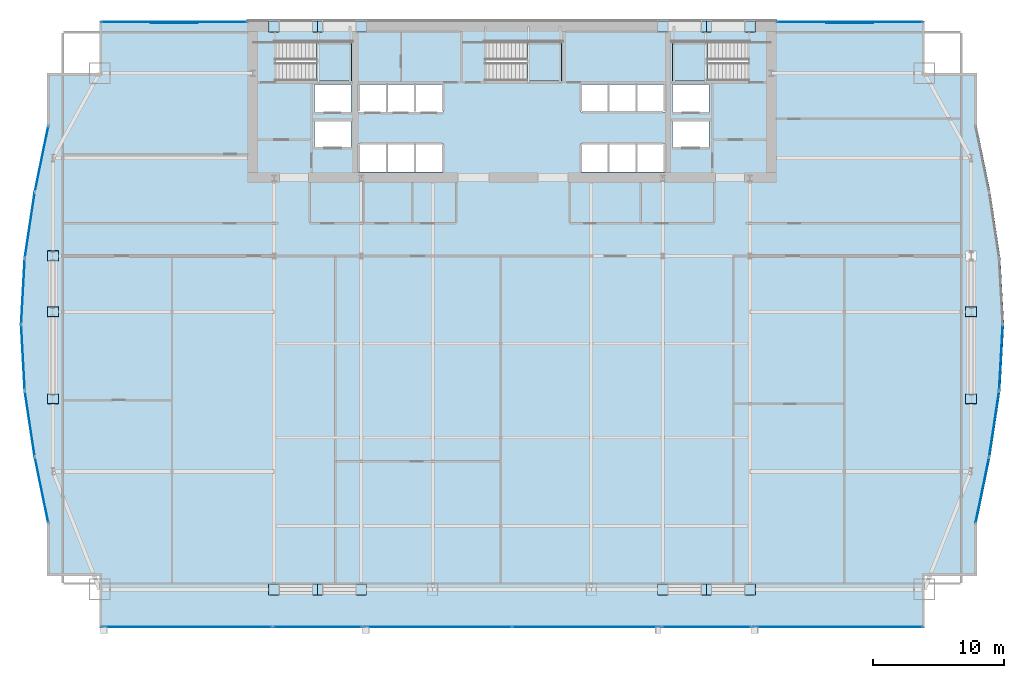
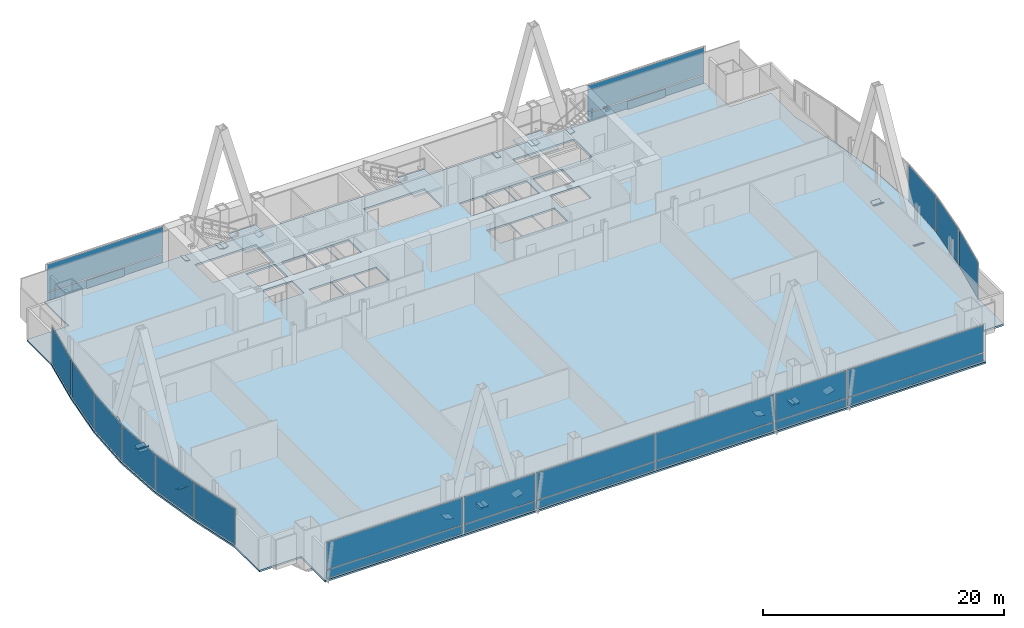
# One storey, part 28 of 36: 50 plates, 4 slabs, 19 elements without a shape of their own.
"""IFC4 building model written with IfcOpenShell, lengths in metres."""

from ifc_helpers import new_model, si_unit, direction, frame, origin, origin_2d, place, context, subcontext, project, spatial, polyline, rectangle, outline, extrude, material, layer, layer_set, type_object, element, aggregate, save


model = new_model("IFC4")

# Units and contexts
model_context = context("Model", 3, precision=1e-05, world=origin(), true_north=direction((0.0, 1.0)))
body_context = subcontext(model_context, "Body", "Model", "MODEL_VIEW")
ifc_project = project(units=[si_unit("LENGTHUNIT", "METRE"), si_unit("AREAUNIT", "SQUARE_METRE"), si_unit("VOLUMEUNIT", "CUBIC_METRE"), si_unit("PLANEANGLEUNIT", "RADIAN"), si_unit("MASSUNIT", "GRAM", prefix="KILO")], contexts=[model_context])

# Site, building, storey
site_placement = place(None, origin())
site = spatial("IfcSite", under=ifc_project, at=site_placement, CompositionType="ELEMENT")
building_placement = place(site_placement, origin())
building = spatial("IfcBuilding", under=site, at=building_placement, Name="Khoronbel Lancet Exchange", CompositionType="ELEMENT")
storey_placement = place(building_placement, frame((0.0, 0.0, 49.800048828125)))
storey = spatial("IfcBuildingStorey", under=building, at=storey_placement, Name="L11", CompositionType="ELEMENT", Elevation=49.800048828125)

# Curtain wall, plate
ifc_material_1 = material(Name="Low-E Solar Control Insulating Glass", Category="glass")
curtain_wall_type_1 = type_object("IfcCurtainWallType", Name="CW-4", PredefinedType="NOTDEFINED", material=ifc_material_1)
curtain_wall_1_placement = place(storey_placement, origin())
curtain_wall_1 = element("IfcCurtainWall", 1, at=curtain_wall_1_placement, inside=storey, type_object=curtain_wall_type_1, Name="Unitised curtain wall CW-L11-E05", PredefinedType="NOTDEFINED")
ifc_material_2 = material(Name="Bronze-Anodised Aluminium 6063-T6", Category="aluminium")
ifc_layer_1 = layer(ifc_material_2, 0.050048828125, Name="Bronze-Anodised Aluminium 6063-T6")
ifc_layer_set_1 = layer_set([ifc_layer_1], Name="Bronze-Anodised Aluminium 6063-T6")
plate_type_1 = type_object("IfcPlateType", Name="PLT-CSP1", PredefinedType="SHEET", material=ifc_layer_set_1)
plate_1_placement = place(storey_placement, frame((-0.49267578125, 22.83740234375, 0.0849609375), z_axis=(0.0, 0.0, 1.0), x_axis=(-0.149250895825, 0.988799357855, 0.0)))
plate_1 = element("IfcPlate", 2, at=plate_1_placement, type_object=plate_type_1, Name="CW4 panel 1.1", PredefinedType="CURTAIN_PANEL", context=body_context, shape_type="SweptSolid", body=[
    extrude(rectangle(XDim=4.984375, YDim=0.0380859375, at=origin_2d()), origin(), (0.0, 0.0, 1.0), 3.64990234375),
])
aggregate(curtain_wall_1, [plate_1])

curtain_wall_2_placement = place(storey_placement, origin())
curtain_wall_2 = element("IfcCurtainWall", 3, at=curtain_wall_2_placement, inside=storey, type_object=curtain_wall_type_1, Name="Unitised curtain wall CW-L11-E06", PredefinedType="NOTDEFINED")
plate_2_placement = place(storey_placement, frame((-1.015869140625, 27.912841796875, 0.0849609375), z_axis=(0.0, 0.0, 1.0), x_axis=(-0.05515722869, 0.998477681335, 0.0)))
plate_2 = element("IfcPlate", 4, at=plate_2_placement, type_object=plate_type_1, Name="CW4 panel 1.1", PredefinedType="CURTAIN_PANEL", context=body_context, shape_type="SweptSolid", body=[
    extrude(rectangle(XDim=4.931884765625, YDim=0.0380859375, at=origin_2d()), origin(), (0.0, 0.0, 1.0), 3.64990234375),
])
aggregate(curtain_wall_2, [plate_2])

curtain_wall_3_placement = place(storey_placement, origin())
curtain_wall_3 = element("IfcCurtainWall", 5, at=curtain_wall_3_placement, inside=storey, type_object=curtain_wall_type_1, Name="Unitised curtain wall CW-L11-E07", PredefinedType="NOTDEFINED")
plate_3_placement = place(storey_placement, frame((-1.015869140625, 32.987060546875, 0.0849609375), z_axis=(0.0, 0.0, 1.0), x_axis=(0.05515722869, 0.998477681335, 0.0)))
plate_3 = element("IfcPlate", 6, at=plate_3_placement, type_object=plate_type_1, Name="CW4 panel 1.1", PredefinedType="CURTAIN_PANEL", context=body_context, shape_type="SweptSolid", body=[
    extrude(rectangle(XDim=4.931884765625, YDim=0.0380859375, at=origin_2d()), origin(), (0.0, 0.0, 1.0), 3.64990234375),
])
aggregate(curtain_wall_3, [plate_3])

curtain_wall_4_placement = place(storey_placement, origin())
curtain_wall_4 = element("IfcCurtainWall", 7, at=curtain_wall_4_placement, inside=storey, type_object=curtain_wall_type_1, Name="Unitised curtain wall CW-L11-E08", PredefinedType="NOTDEFINED")
plate_4_placement = place(storey_placement, frame((-0.49267578125, 38.0625, 0.0849609375), z_axis=(0.0, 0.0, 1.0), x_axis=(0.149250895825, 0.988799357855, 0.0)))
plate_4 = element("IfcPlate", 8, at=plate_4_placement, type_object=plate_type_1, Name="CW4 panel 1.1", PredefinedType="CURTAIN_PANEL", context=body_context, shape_type="SweptSolid", body=[
    extrude(rectangle(XDim=4.984375, YDim=0.0380859375, at=origin_2d()), origin(), (0.0, 0.0, 1.0), 3.64990234375),
])
aggregate(curtain_wall_4, [plate_4])

curtain_wall_type_2 = type_object("IfcCurtainWallType", Name="CW-1", PredefinedType="NOTDEFINED", material=ifc_material_1)
curtain_wall_5_placement = place(storey_placement, origin())
curtain_wall_5 = element("IfcCurtainWall", 9, at=curtain_wall_5_placement, inside=storey, type_object=curtain_wall_type_2, Name="Unitised curtain wall CW-L11-NWFLK", PredefinedType="NOTDEFINED")
plate_5_placement = place(storey_placement, frame((10.580078125, 53.550048828125, 0.0498046875), z_axis=(0.0, 0.0, 1.0), x_axis=(-1.0, 0.0, 0.0)))
plate_5 = element("IfcPlate", 10, at=plate_5_placement, type_object=plate_type_1, Name="Insulated bronze spandrel cassette CW-L11-NWFLK", PredefinedType="SHEET", context=body_context, shape_type="SweptSolid", body=[
    extrude(rectangle(XDim=3.60009765625, YDim=0.050048828125, at=origin_2d()), origin(), (0.0, 0.0, 1.0), 0.800048828125),
])

curtain_wall_6_placement = place(storey_placement, origin())
curtain_wall_6 = element("IfcCurtainWall", 11, at=curtain_wall_6_placement, inside=storey, type_object=curtain_wall_type_2, Name="Unitised curtain wall CW-L11-NEFLK", PredefinedType="NOTDEFINED")
plate_6_placement = place(storey_placement, frame((62.320068359375, 53.550048828125, 0.0498046875), z_axis=(0.0, 0.0, 1.0), x_axis=(-1.0, 0.0, 0.0)))
plate_6 = element("IfcPlate", 12, at=plate_6_placement, type_object=plate_type_1, Name="Insulated bronze spandrel cassette CW-L11-NEFLK", PredefinedType="SHEET", context=body_context, shape_type="SweptSolid", body=[
    extrude(rectangle(XDim=3.60009765625, YDim=0.050048828125, at=origin_2d()), origin(), (0.0, 0.0, 1.0), 0.800048828125),
])

curtain_wall_7_placement = place(storey_placement, origin())
curtain_wall_7 = element("IfcCurtainWall", 13, at=curtain_wall_7_placement, inside=storey, type_object=curtain_wall_type_1, Name="Unitised curtain wall CW-L11-E20", PredefinedType="NOTDEFINED")
plate_7_placement = place(storey_placement, frame((73.916015625, 27.912841796875, 0.0849609375), z_axis=(0.0, 0.0, 1.0), x_axis=(-0.05515722869, -0.998477681335, 0.0)))
plate_7 = element("IfcPlate", 14, at=plate_7_placement, type_object=plate_type_1, Name="CW4 panel 1.1", PredefinedType="CURTAIN_PANEL", context=body_context, shape_type="SweptSolid", body=[
    extrude(rectangle(XDim=4.931884765625, YDim=0.0380859375, at=origin_2d()), origin(), (0.0, 0.0, 1.0), 3.64990234375),
])
aggregate(curtain_wall_7, [plate_7])

curtain_wall_8_placement = place(storey_placement, origin())
curtain_wall_8 = element("IfcCurtainWall", 15, at=curtain_wall_8_placement, inside=storey, type_object=curtain_wall_type_1, Name="Unitised curtain wall CW-L11-E21", PredefinedType="NOTDEFINED")
plate_8_placement = place(storey_placement, frame((73.392578125, 22.83740234375, 0.0849609375), z_axis=(0.0, 0.0, 1.0), x_axis=(-0.149250895825, -0.988799357855, 0.0)))
plate_8 = element("IfcPlate", 16, at=plate_8_placement, type_object=plate_type_1, Name="CW4 panel 1.1", PredefinedType="CURTAIN_PANEL", context=body_context, shape_type="SweptSolid", body=[
    extrude(rectangle(XDim=4.984375, YDim=0.0380859375, at=origin_2d()), origin(), (0.0, 0.0, 1.0), 3.64990234375),
])
aggregate(curtain_wall_8, [plate_8])

# Curtain wall, plates
curtain_wall_9_placement = place(storey_placement, origin())
curtain_wall_9 = element("IfcCurtainWall", 17, at=curtain_wall_9_placement, inside=storey, type_object=curtain_wall_type_2, Name="Unitised curtain wall CW-L11-SWB", PredefinedType="NOTDEFINED")
plate_9_placement = place(storey_placement, frame((21.550048828125, 7.2900390625, 0.0849609375), z_axis=(0.0, 0.0, 1.0), x_axis=(1.0, 0.0, 0.0)))
plate_9 = element("IfcPlate", 18, at=plate_9_placement, type_object=plate_type_1, Name="CW1 panel 1.1", PredefinedType="CURTAIN_PANEL", context=body_context, shape_type="SweptSolid", body=[
    extrude(rectangle(XDim=6.72998046875, YDim=0.0380859375, at=origin_2d()), origin(), (0.0, 0.0, 1.0), 0.822509765625),
])
plate_10_placement = place(storey_placement, frame((21.550048828125, 7.2900390625, 0.99267578125), z_axis=(0.0, 0.0, 1.0), x_axis=(1.0, 0.0, 0.0)))
plate_10 = element("IfcPlate", 19, at=plate_10_placement, type_object=plate_type_1, Name="CW1 panel 1.2", PredefinedType="CURTAIN_PANEL", context=body_context, shape_type="SweptSolid", body=[
    extrude(rectangle(XDim=6.72998046875, YDim=0.0380859375, at=origin_2d()), origin(), (0.0, 0.0, 1.0), 2.742431640625),
])
aggregate(curtain_wall_9, [plate_9, plate_10])

curtain_wall_10_placement = place(storey_placement, origin())
curtain_wall_10 = element("IfcCurtainWall", 20, at=curtain_wall_10_placement, inside=storey, type_object=curtain_wall_type_2, Name="Unitised curtain wall CW-L11-SEB", PredefinedType="NOTDEFINED")
plate_11_placement = place(storey_placement, frame((51.35009765625, 7.2900390625, 0.0849609375), z_axis=(0.0, 0.0, 1.0), x_axis=(1.0, 0.0, 0.0)))
plate_11 = element("IfcPlate", 21, at=plate_11_placement, type_object=plate_type_1, Name="CW1 panel 1.1", PredefinedType="CURTAIN_PANEL", context=body_context, shape_type="SweptSolid", body=[
    extrude(rectangle(XDim=6.72998046875, YDim=0.0380859375, at=origin_2d()), origin(), (0.0, 0.0, 1.0), 0.822509765625),
])
plate_12_placement = place(storey_placement, frame((51.35009765625, 7.2900390625, 0.99267578125), z_axis=(0.0, 0.0, 1.0), x_axis=(1.0, 0.0, 0.0)))
plate_12 = element("IfcPlate", 22, at=plate_12_placement, type_object=plate_type_1, Name="CW1 panel 1.2", PredefinedType="CURTAIN_PANEL", context=body_context, shape_type="SweptSolid", body=[
    extrude(rectangle(XDim=6.72998046875, YDim=0.0380859375, at=origin_2d()), origin(), (0.0, 0.0, 1.0), 2.742431640625),
])
aggregate(curtain_wall_10, [plate_11, plate_12])

# Plate
ifc_layer_2 = layer(ifc_material_1, 0.035888671875, Name="Low-E Solar Control Insulating Glass")
ifc_layer_set_2 = layer_set([ifc_layer_2], Name="Low-E Solar Control Insulating Glass")
plate_type_2 = type_object("IfcPlateType", Name="PLT-CWP1", PredefinedType="CURTAIN_PANEL", material=ifc_layer_set_2)
plate_13_placement = place(storey_placement, frame((10.580078125, 53.610107421875, 0.0849609375), z_axis=(0.0, 0.0, 1.0), x_axis=(-1.0, 0.0, 0.0)))
plate_13 = element("IfcPlate", 23, at=plate_13_placement, type_object=plate_type_2, Name="CW1 panel 1.1", PredefinedType="CURTAIN_PANEL", context=body_context, shape_type="SweptSolid", body=[
    extrude(rectangle(XDim=11.110107421875, YDim=0.0380859375, at=origin_2d()), origin(), (0.0, 0.0, 1.0), 0.822509765625),
])

plate_14_placement = place(storey_placement, frame((10.580078125, 53.610107421875, 0.99267578125), z_axis=(0.0, 0.0, 1.0), x_axis=(-1.0, 0.0, 0.0)))
plate_14 = element("IfcPlate", 24, at=plate_14_placement, type_object=plate_type_2, Name="CW1 panel 1.2", PredefinedType="CURTAIN_PANEL", context=body_context, shape_type="SweptSolid", body=[
    extrude(rectangle(XDim=11.110107421875, YDim=0.0380859375, at=origin_2d()), origin(), (0.0, 0.0, 1.0), 2.742431640625),
])

aggregate(curtain_wall_5, [plate_13, plate_14, plate_5])

plate_15_placement = place(storey_placement, frame((62.320068359375, 53.610107421875, 0.0849609375), z_axis=(0.0, 0.0, 1.0), x_axis=(-1.0, 0.0, 0.0)))
plate_15 = element("IfcPlate", 25, at=plate_15_placement, type_object=plate_type_2, Name="CW1 panel 1.1", PredefinedType="CURTAIN_PANEL", context=body_context, shape_type="SweptSolid", body=[
    extrude(rectangle(XDim=11.110107421875, YDim=0.0380859375, at=origin_2d()), origin(), (0.0, 0.0, 1.0), 0.822509765625),
])

plate_16_placement = place(storey_placement, frame((62.320068359375, 53.610107421875, 0.99267578125), z_axis=(0.0, 0.0, 1.0), x_axis=(-1.0, 0.0, 0.0)))
plate_16 = element("IfcPlate", 26, at=plate_16_placement, type_object=plate_type_2, Name="CW1 panel 1.2", PredefinedType="CURTAIN_PANEL", context=body_context, shape_type="SweptSolid", body=[
    extrude(rectangle(XDim=11.110107421875, YDim=0.0380859375, at=origin_2d()), origin(), (0.0, 0.0, 1.0), 2.742431640625),
])

aggregate(curtain_wall_6, [plate_15, plate_16, plate_6])

# Curtain wall, plates
curtain_wall_11_placement = place(storey_placement, origin())
curtain_wall_11 = element("IfcCurtainWall", 27, at=curtain_wall_11_placement, inside=storey, type_object=curtain_wall_type_2, Name="Unitised curtain wall CW-L11-SWV", PredefinedType="NOTDEFINED")
plate_17_placement = place(storey_placement, frame((11.52001953125, 7.2900390625, 0.0849609375), z_axis=(0.0, 0.0, 1.0), x_axis=(1.0, 0.0, 0.0)))
plate_17 = element("IfcPlate", 28, at=plate_17_placement, type_object=plate_type_2, Name="CW1 panel 1.1", PredefinedType="CURTAIN_PANEL", context=body_context, shape_type="SweptSolid", body=[
    extrude(rectangle(XDim=12.989990234375, YDim=0.0380859375, at=origin_2d()), origin(), (0.0, 0.0, 1.0), 0.822509765625),
])
plate_18_placement = place(storey_placement, frame((11.52001953125, 7.2900390625, 0.99267578125), z_axis=(0.0, 0.0, 1.0), x_axis=(1.0, 0.0, 0.0)))
plate_18 = element("IfcPlate", 29, at=plate_18_placement, type_object=plate_type_2, Name="CW1 panel 1.2", PredefinedType="CURTAIN_PANEL", context=body_context, shape_type="SweptSolid", body=[
    extrude(rectangle(XDim=12.989990234375, YDim=0.0380859375, at=origin_2d()), origin(), (0.0, 0.0, 1.0), 2.742431640625),
])
aggregate(curtain_wall_11, [plate_17, plate_18])

curtain_wall_12_placement = place(storey_placement, origin())
curtain_wall_12 = element("IfcCurtainWall", 30, at=curtain_wall_12_placement, inside=storey, type_object=curtain_wall_type_2, Name="Unitised curtain wall CW-L11-SCV", PredefinedType="NOTDEFINED")
plate_19_placement = place(storey_placement, frame((30.746337890625, 7.2900390625, 0.0849609375), z_axis=(0.0, 0.0, 1.0), x_axis=(1.0, 0.0, 0.0)))
plate_19 = element("IfcPlate", 31, at=plate_19_placement, type_object=plate_type_2, Name="CW1 panel 1.1", PredefinedType="CURTAIN_PANEL", context=body_context, shape_type="SweptSolid", body=[
    extrude(rectangle(XDim=11.322509765625, YDim=0.0380859375, at=origin_2d()), origin(), (0.0, 0.0, 1.0), 0.822509765625),
])
plate_20_placement = place(storey_placement, frame((30.746337890625, 7.2900390625, 0.99267578125), z_axis=(0.0, 0.0, 1.0), x_axis=(1.0, 0.0, 0.0)))
plate_20 = element("IfcPlate", 32, at=plate_20_placement, type_object=plate_type_2, Name="CW1 panel 1.2", PredefinedType="CURTAIN_PANEL", context=body_context, shape_type="SweptSolid", body=[
    extrude(rectangle(XDim=11.322509765625, YDim=0.0380859375, at=origin_2d()), origin(), (0.0, 0.0, 1.0), 2.742431640625),
])
plate_21_placement = place(storey_placement, frame((42.15380859375, 7.2900390625, 0.0849609375), z_axis=(0.0, 0.0, 1.0), x_axis=(1.0, 0.0, 0.0)))
plate_21 = element("IfcPlate", 33, at=plate_21_placement, type_object=plate_type_2, Name="CW1 panel 2.1", PredefinedType="CURTAIN_PANEL", context=body_context, shape_type="SweptSolid", body=[
    extrude(rectangle(XDim=11.322509765625, YDim=0.0380859375, at=origin_2d()), origin(), (0.0, 0.0, 1.0), 0.822509765625),
])
plate_22_placement = place(storey_placement, frame((42.15380859375, 7.2900390625, 0.99267578125), z_axis=(0.0, 0.0, 1.0), x_axis=(1.0, 0.0, 0.0)))
plate_22 = element("IfcPlate", 34, at=plate_22_placement, type_object=plate_type_2, Name="CW1 panel 2.2", PredefinedType="CURTAIN_PANEL", context=body_context, shape_type="SweptSolid", body=[
    extrude(rectangle(XDim=11.322509765625, YDim=0.0380859375, at=origin_2d()), origin(), (0.0, 0.0, 1.0), 2.742431640625),
])
aggregate(curtain_wall_12, [plate_19, plate_20, plate_21, plate_22])

curtain_wall_13_placement = place(storey_placement, origin())
curtain_wall_13 = element("IfcCurtainWall", 35, at=curtain_wall_13_placement, inside=storey, type_object=curtain_wall_type_2, Name="Unitised curtain wall CW-L11-SEV", PredefinedType="NOTDEFINED")
plate_23_placement = place(storey_placement, frame((61.3798828125, 7.2900390625, 0.0849609375), z_axis=(0.0, 0.0, 1.0), x_axis=(1.0, 0.0, 0.0)))
plate_23 = element("IfcPlate", 36, at=plate_23_placement, type_object=plate_type_2, Name="CW1 panel 1.1", PredefinedType="CURTAIN_PANEL", context=body_context, shape_type="SweptSolid", body=[
    extrude(rectangle(XDim=12.989990234375, YDim=0.0380859375, at=origin_2d()), origin(), (0.0, 0.0, 1.0), 0.822509765625),
])
plate_24_placement = place(storey_placement, frame((61.3798828125, 7.2900390625, 0.99267578125), z_axis=(0.0, 0.0, 1.0), x_axis=(1.0, 0.0, 0.0)))
plate_24 = element("IfcPlate", 37, at=plate_24_placement, type_object=plate_type_2, Name="CW1 panel 1.2", PredefinedType="CURTAIN_PANEL", context=body_context, shape_type="SweptSolid", body=[
    extrude(rectangle(XDim=12.989990234375, YDim=0.0380859375, at=origin_2d()), origin(), (0.0, 0.0, 1.0), 2.742431640625),
])
aggregate(curtain_wall_13, [plate_23, plate_24])

# Curtain wall, plate
curtain_wall_14_placement = place(storey_placement, origin())
curtain_wall_14 = element("IfcCurtainWall", 38, at=curtain_wall_14_placement, inside=storey, type_object=curtain_wall_type_1, Name="Unitised curtain wall CW-L11-E04", PredefinedType="NOTDEFINED")
ifc_material_3 = material(Name="Ceramic-Fritted Laminated Insulating Glass", Category="glass")
ifc_layer_3 = layer(ifc_material_3, 0.0419921875, Name="Ceramic-Fritted Laminated Insulating Glass")
ifc_layer_set_3 = layer_set([ifc_layer_3], Name="Ceramic-Fritted Laminated Insulating Glass")
plate_type_3 = type_object("IfcPlateType", Name="PLT-CWP2", PredefinedType="CURTAIN_PANEL", material=ifc_layer_set_3)
plate_25_placement = place(storey_placement, frame((0.415283203125, 17.754150390625, 0.0849609375), z_axis=(0.0, 0.0, 1.0), x_axis=(-0.201944463486, 0.979396974504, 0.0)))
plate_25 = element("IfcPlate", 39, at=plate_25_placement, type_object=plate_type_3, Name="CW4 panel 1.1", PredefinedType="CURTAIN_PANEL", context=body_context, shape_type="SweptSolid", body=[
    extrude(rectangle(XDim=5.046875, YDim=0.0380859375, at=origin_2d()), origin(), (0.0, 0.0, 1.0), 3.64990234375),
])
aggregate(curtain_wall_14, [plate_25])

curtain_wall_15_placement = place(storey_placement, origin())
curtain_wall_15 = element("IfcCurtainWall", 40, at=curtain_wall_15_placement, inside=storey, type_object=curtain_wall_type_1, Name="Unitised curtain wall CW-L11-E09", PredefinedType="NOTDEFINED")
plate_26_placement = place(storey_placement, frame((0.415283203125, 43.145751953125, 0.0849609375), z_axis=(0.0, 0.0, 1.0), x_axis=(0.201944463486, 0.979396974504, 0.0)))
plate_26 = element("IfcPlate", 41, at=plate_26_placement, type_object=plate_type_3, Name="CW4 panel 1.1", PredefinedType="CURTAIN_PANEL", context=body_context, shape_type="SweptSolid", body=[
    extrude(rectangle(XDim=5.046875, YDim=0.0380859375, at=origin_2d()), origin(), (0.0, 0.0, 1.0), 3.64990234375),
])
aggregate(curtain_wall_15, [plate_26])

curtain_wall_16_placement = place(storey_placement, origin())
curtain_wall_16 = element("IfcCurtainWall", 42, at=curtain_wall_16_placement, inside=storey, type_object=curtain_wall_type_1, Name="Unitised curtain wall CW-L11-E22", PredefinedType="NOTDEFINED")
plate_27_placement = place(storey_placement, frame((72.48486328125, 17.754150390625, 0.0849609375), z_axis=(0.0, 0.0, 1.0), x_axis=(-0.201944463486, -0.979396974504, 0.0)))
plate_27 = element("IfcPlate", 43, at=plate_27_placement, type_object=plate_type_3, Name="CW4 panel 1.1", PredefinedType="CURTAIN_PANEL", context=body_context, shape_type="SweptSolid", body=[
    extrude(rectangle(XDim=5.046875, YDim=0.0380859375, at=origin_2d()), origin(), (0.0, 0.0, 1.0), 3.64990234375),
])
aggregate(curtain_wall_16, [plate_27])

# Plates
ifc_material_4 = material(Name="Steel S460", Category="steel")
ifc_layer_4 = layer(ifc_material_4, 0.044921875, Name="Steel S460")
ifc_layer_set_4 = layer_set([ifc_layer_4], Name="Steel S460")
plate_type_4 = type_object("IfcPlateType", Name="PLT-ECP1", PredefinedType="USERDEFINED", material=ifc_layer_set_4)
for number, where, z_axis, x_axis, name in (
    (44, (21.97607421875, 9.72998046875, -0.080810546875), (0.26795862665, 0.0, 0.963430420115), (0.0, 1.0, 0.0), "Hollow end cap plate PLT-CAP-MEM-MB-T02-S-W-L-1"),
    (45, (21.14892578125, 10.570068359375, -0.080810546875), (-0.26795862665, 0.0, 0.963430420115), (0.0, -1.0, 0.0), "Hollow end cap plate PLT-CAP-MEM-MB-T02-S-W-R-1"),
    (46, (51.7509765625, 9.72998046875, -0.080810546875), (0.26795862665, 0.0, 0.963430420115), (0.0, 1.0, 0.0), "Hollow end cap plate PLT-CAP-MEM-MB-T02-S-E-L-1"),
    (47, (50.924072265625, 10.570068359375, -0.080810546875), (-0.26795862665, 0.0, 0.963430420115), (0.0, -1.0, 0.0), "Hollow end cap plate PLT-CAP-MEM-MB-T02-S-E-R-1"),
):
    element("IfcPlate", number, at=place(storey_placement, frame(where, z_axis=z_axis, x_axis=x_axis)), inside=storey, type_object=plate_type_4, Name=name, ObjectType="STIFFENER_PLATE", PredefinedType="USERDEFINED", context=body_context, shape_type="SweptSolid", body=[
        extrude(outline(polyline([(0.0, 0.0), (0.840087890625, 0.0), (0.840087890625, 0.840087890625), (0.0, 0.840087890625), (0.0, 0.0)])), origin(), (0.0, 0.0, -1.0), 0.044921875),
    ])
for number, where, z_axis, x_axis, name in (
    (48, (21.97607421875, 52.860107421875, -0.080810546875), (0.26795862665, 0.0, 0.963430420115), (0.0, 1.0, 0.0), "Hollow end cap plate PLT-CAP-MEM-MB-T02-N-W-L-1"),
    (49, (21.14892578125, 53.699951171875, -0.080810546875), (-0.26795862665, 0.0, 0.963430420115), (0.0, -1.0, 0.0), "Hollow end cap plate PLT-CAP-MEM-MB-T02-N-W-R-1"),
    (50, (51.7509765625, 52.860107421875, -0.080810546875), (0.26795862665, 0.0, 0.963430420115), (0.0, 1.0, 0.0), "Hollow end cap plate PLT-CAP-MEM-MB-T02-N-E-L-1"),
    (51, (50.924072265625, 53.699951171875, -0.080810546875), (-0.26795862665, 0.0, 0.963430420115), (0.0, -1.0, 0.0), "Hollow end cap plate PLT-CAP-MEM-MB-T02-N-E-R-1"),
    (52, (1.68994140625, 31.80810546875, -0.17529296875), (0.0, 0.485963708226, 0.873978989614), (-1.0, 0.0, 0.0), "Hollow end cap plate PLT-CAP-MEM-MB-T02-W-P-L-1"),
):
    element("IfcPlate", number, at=place(storey_placement, frame(where, z_axis=z_axis, x_axis=x_axis)), inside=storey, type_object=plate_type_4, Name=name, ObjectType="STIFFENER_PLATE", PredefinedType="USERDEFINED", context=body_context, shape_type="SweptSolid", body=[
        extrude(outline(polyline([(0.0, 0.0), (0.83984375, 0.0), (0.83984375, 0.840087890625), (0.0, 0.840087890625), (0.0, 0.0)])), origin(), (0.0, 0.0, -1.0), 0.044921875),
    ])
plate_28_placement = place(storey_placement, frame((0.85009765625, 31.018310546875, -0.10986328125), z_axis=(0.0, -0.335433979759, 0.942063716116), x_axis=(1.0, 0.0, 0.0)))
element("IfcPlate", 53, at=plate_28_placement, inside=storey, type_object=plate_type_4, Name="Hollow end cap plate PLT-CAP-MEM-MB-T02-W-P-R-1", ObjectType="STIFFENER_PLATE", PredefinedType="USERDEFINED", context=body_context, shape_type="SweptSolid", body=[
    extrude(outline(polyline([(0.0, 0.0), (0.83984375, 0.0), (0.83984375, 0.83984375), (0.0, 0.83984375), (0.0, 0.0)])), origin(), (0.0, 0.0, -1.0), 0.044921875),
])
plate_29_placement = place(storey_placement, frame((72.050048828125, 31.80810546875, -0.17529296875), z_axis=(0.0, 0.485963708226, 0.873978989614), x_axis=(-1.0, 0.0, 0.0)))
element("IfcPlate", 54, at=plate_29_placement, inside=storey, type_object=plate_type_4, Name="Hollow end cap plate PLT-CAP-MEM-MB-T02-E-P-L-1", ObjectType="STIFFENER_PLATE", PredefinedType="USERDEFINED", context=body_context, shape_type="SweptSolid", body=[
    extrude(outline(polyline([(0.0, 0.0), (0.840087890625, 0.0), (0.840087890625, 0.840087890625), (0.0, 0.840087890625), (0.0, 0.0)])), origin(), (0.0, 0.0, -1.0), 0.044921875),
])
plate_30_placement = place(storey_placement, frame((71.2099609375, 31.018310546875, -0.10986328125), z_axis=(0.0, -0.335433979759, 0.942063716116), x_axis=(1.0, 0.0, 0.0)))
element("IfcPlate", 55, at=plate_30_placement, inside=storey, type_object=plate_type_4, Name="Hollow end cap plate PLT-CAP-MEM-MB-T02-E-P-R-1", ObjectType="STIFFENER_PLATE", PredefinedType="USERDEFINED", context=body_context, shape_type="SweptSolid", body=[
    extrude(outline(polyline([(0.0, 0.0), (0.840087890625, 0.0), (0.840087890625, 0.83984375), (0.0, 0.83984375), (0.0, 0.0)])), origin(), (0.0, 0.0, -1.0), 0.044921875),
])
for number, where, z_axis, x_axis, name in (
    (56, (18.6328125, 9.72998046875, -0.10107421875), (0.26795862665, 0.0, 0.963430420115), (0.0, 1.0, 0.0), "Hollow end cap plate PLT-CAP-MEM-MB-T03-S-W-L-0"),
    (57, (24.4921875, 10.570068359375, -0.10107421875), (-0.26795862665, 0.0, 0.963430420115), (0.0, -1.0, 0.0), "Hollow end cap plate PLT-CAP-MEM-MB-T03-S-W-R-0"),
    (58, (48.407958984375, 9.72998046875, -0.10107421875), (0.26795862665, 0.0, 0.963430420115), (0.0, 1.0, 0.0), "Hollow end cap plate PLT-CAP-MEM-MB-T03-S-E-L-0"),
    (59, (54.26708984375, 10.570068359375, -0.10107421875), (-0.26795862665, 0.0, 0.963430420115), (0.0, -1.0, 0.0), "Hollow end cap plate PLT-CAP-MEM-MB-T03-S-E-R-0"),
):
    element("IfcPlate", number, at=place(storey_placement, frame(where, z_axis=z_axis, x_axis=x_axis)), inside=storey, type_object=plate_type_4, Name=name, ObjectType="STIFFENER_PLATE", PredefinedType="USERDEFINED", context=body_context, shape_type="SweptSolid", body=[
        extrude(outline(polyline([(0.0, 0.0), (0.840087890625, 0.0), (0.840087890625, 0.840087890625), (0.0, 0.840087890625), (0.0, 0.0)])), origin(), (0.0, 0.0, -1.0), 0.044921875),
    ])
for number, where, z_axis, x_axis, name in (
    (60, (18.6328125, 52.860107421875, -0.10107421875), (0.26795862665, 0.0, 0.963430420115), (0.0, 1.0, 0.0), "Hollow end cap plate PLT-CAP-MEM-MB-T03-N-W-L-0"),
    (61, (24.4921875, 53.699951171875, -0.10107421875), (-0.26795862665, 0.0, 0.963430420115), (0.0, -1.0, 0.0), "Hollow end cap plate PLT-CAP-MEM-MB-T03-N-W-R-0"),
    (62, (48.407958984375, 52.860107421875, -0.10107421875), (0.26795862665, 0.0, 0.963430420115), (0.0, 1.0, 0.0), "Hollow end cap plate PLT-CAP-MEM-MB-T03-N-E-L-0"),
    (63, (54.26708984375, 53.699951171875, -0.10107421875), (-0.26795862665, 0.0, 0.963430420115), (0.0, -1.0, 0.0), "Hollow end cap plate PLT-CAP-MEM-MB-T03-N-E-R-0"),
):
    element("IfcPlate", number, at=place(storey_placement, frame(where, z_axis=z_axis, x_axis=x_axis)), inside=storey, type_object=plate_type_4, Name=name, ObjectType="STIFFENER_PLATE", PredefinedType="USERDEFINED", context=body_context, shape_type="SweptSolid", body=[
        extrude(outline(polyline([(0.0, 0.0), (0.83984375, 0.0), (0.83984375, 0.840087890625), (0.0, 0.840087890625), (0.0, 0.0)])), origin(), (0.0, 0.0, -1.0), 0.044921875),
    ])
for number, where, z_axis, x_axis, name in (
    (64, (1.68994140625, 25.122802734375, -0.19384765625), (0.0, 0.486309162349, 0.873786815314), (-1.0, 0.0, 0.0), "Hollow end cap plate PLT-CAP-MEM-MB-T03-W-P-L-0"),
    (65, (0.85009765625, 35.30029296875, -0.129638671875), (0.0, -0.335433979759, 0.942063716116), (1.0, 0.0, 0.0), "Hollow end cap plate PLT-CAP-MEM-MB-T03-W-P-R-0"),
):
    element("IfcPlate", number, at=place(storey_placement, frame(where, z_axis=z_axis, x_axis=x_axis)), inside=storey, type_object=plate_type_4, Name=name, ObjectType="STIFFENER_PLATE", PredefinedType="USERDEFINED", context=body_context, shape_type="SweptSolid", body=[
        extrude(outline(polyline([(0.0, 0.0), (0.83984375, 0.0), (0.83984375, 0.83984375), (0.0, 0.83984375), (0.0, 0.0)])), origin(), (0.0, 0.0, -1.0), 0.044921875),
    ])
plate_31_placement = place(storey_placement, frame((72.050048828125, 25.122802734375, -0.19384765625), z_axis=(0.0, 0.486309162349, 0.873786815314), x_axis=(-1.0, 0.0, 0.0)))
element("IfcPlate", 66, at=plate_31_placement, inside=storey, type_object=plate_type_4, Name="Hollow end cap plate PLT-CAP-MEM-MB-T03-E-P-L-0", ObjectType="STIFFENER_PLATE", PredefinedType="USERDEFINED", context=body_context, shape_type="SweptSolid", body=[
    extrude(outline(polyline([(0.0, 0.0), (0.840087890625, 0.0), (0.840087890625, 0.83984375), (0.0, 0.83984375), (0.0, 0.0)])), origin(), (0.0, 0.0, -1.0), 0.044921875),
])

# Slab
ifc_material_5 = material(Name="Concrete C40/50", Category="concrete")
ifc_layer_5 = layer(ifc_material_5, 0.179931640625, Name="Concrete C40/50")
ifc_layer_set_5 = layer_set([ifc_layer_5], Name="Concrete C40/50")
slab_type_1 = type_object("IfcSlabType", Name="SL-FL180", PredefinedType="FLOOR", material=ifc_layer_set_5)
slab_1_placement = place(storey_placement, frame((0.0, 0.0, -0.179931640625)))
element("IfcSlab", 67, at=slab_1_placement, inside=storey, type_object=slab_type_1, Name="Level L11 composite structural floor slab", PredefinedType="FLOOR", context=body_context, shape_type="SweptSolid", body=[
    extrude(outline(polyline([(4.85009765625, 7.199951171875), (68.050048828125, 7.199951171875), (68.050048828125, 11.199951171875), (72.050048828125, 11.199951171875), (72.050048828125, 15.199951171875), (73.09814453125, 20.283203125), (73.865478515625, 25.36669921875), (74.146240234375, 30.449951171875), (73.865478515625, 35.533203125), (73.09814453125, 40.61669921875), (72.050048828125, 45.699951171875), (72.050048828125, 49.699951171875), (68.050048828125, 49.699951171875), (68.050048828125, 53.699951171875), (4.85009765625, 53.699951171875), (4.85009765625, 49.699951171875), (0.85009765625, 49.699951171875), (0.85009765625, 45.699951171875), (-0.197998046875, 40.61669921875), (-0.96533203125, 35.533203125), (-1.24609375, 30.449951171875), (-0.96533203125, 25.36669921875), (-0.197998046875, 20.283203125), (0.85009765625, 15.199951171875), (0.85009765625, 11.199951171875), (4.85009765625, 11.199951171875), (4.85009765625, 7.199951171875)]), holes=[polyline([(18.324951171875, 49.1201171875), (24.14990234375, 49.1201171875), (24.14990234375, 52.10009765625), (18.324951171875, 52.10009765625), (18.324951171875, 49.1201171875)]), polyline([(48.75, 49.1201171875), (54.574951171875, 49.1201171875), (54.574951171875, 52.10009765625), (48.75, 52.10009765625), (48.75, 49.1201171875)]), polyline([(34.425048828125, 49.1201171875), (40.25, 49.1201171875), (40.25, 52.10009765625), (34.425048828125, 52.10009765625), (34.425048828125, 49.1201171875)]), polyline([(24.699951171875, 46.75), (26.840087890625, 46.75), (26.840087890625, 48.85009765625), (24.699951171875, 48.85009765625), (24.699951171875, 46.75)]), polyline([(26.860107421875, 46.75), (29.0, 46.75), (29.0, 48.85009765625), (26.860107421875, 48.85009765625), (26.860107421875, 46.75)]), polyline([(29.02001953125, 46.75), (31.159912109375, 46.75), (31.159912109375, 48.85009765625), (29.02001953125, 48.85009765625), (29.02001953125, 46.75)]), polyline([(24.699951171875, 42.14990234375), (26.840087890625, 42.14990234375), (26.840087890625, 44.300048828125), (24.699951171875, 44.300048828125), (24.699951171875, 42.14990234375)]), polyline([(26.860107421875, 42.14990234375), (29.0, 42.14990234375), (29.0, 44.300048828125), (26.860107421875, 44.300048828125), (26.860107421875, 42.14990234375)]), polyline([(29.02001953125, 42.14990234375), (31.159912109375, 42.14990234375), (31.159912109375, 44.300048828125), (29.02001953125, 44.300048828125), (29.02001953125, 42.14990234375)]), polyline([(41.739990234375, 46.75), (43.8798828125, 46.75), (43.8798828125, 48.85009765625), (41.739990234375, 48.85009765625), (41.739990234375, 46.75)]), polyline([(43.89990234375, 46.75), (46.0400390625, 46.75), (46.0400390625, 48.85009765625), (43.89990234375, 48.85009765625), (43.89990234375, 46.75)]), polyline([(46.06005859375, 46.75), (48.199951171875, 46.75), (48.199951171875, 48.85009765625), (46.06005859375, 48.85009765625), (46.06005859375, 46.75)]), polyline([(41.739990234375, 42.14990234375), (43.8798828125, 42.14990234375), (43.8798828125, 44.300048828125), (41.739990234375, 44.300048828125), (41.739990234375, 42.14990234375)]), polyline([(43.89990234375, 42.14990234375), (46.0400390625, 42.14990234375), (46.0400390625, 44.300048828125), (43.89990234375, 44.300048828125), (43.89990234375, 42.14990234375)]), polyline([(46.06005859375, 42.14990234375), (48.199951171875, 42.14990234375), (48.199951171875, 44.300048828125), (46.06005859375, 44.300048828125), (46.06005859375, 42.14990234375)]), polyline([(21.300048828125, 46.75), (24.10009765625, 46.75), (24.10009765625, 48.85009765625), (21.300048828125, 48.85009765625), (21.300048828125, 46.75)]), polyline([(48.75, 46.75), (51.550048828125, 46.75), (51.550048828125, 48.85009765625), (48.75, 48.85009765625), (48.75, 46.75)]), polyline([(21.300048828125, 44.050048828125), (24.10009765625, 44.050048828125), (24.10009765625, 46.050048828125), (21.300048828125, 46.050048828125), (21.300048828125, 44.050048828125)]), polyline([(48.75, 44.050048828125), (51.550048828125, 44.050048828125), (51.550048828125, 46.050048828125), (48.75, 46.050048828125), (48.75, 44.050048828125)])]), origin(), (0.0, 0.0, 1.0), 0.179931640625),
])

# Stair, slab
stair_type = type_object("IfcStairType", Name="STR-CORE150", PredefinedType="HALF_TURN_STAIR", material=ifc_material_5)
stair_1_placement = place(storey_placement, origin())
stair_1 = element("IfcStair", 68, at=stair_1_placement, inside=storey, type_object=stair_type, Name="L11 Protected Exit Stair ST1", PredefinedType="HALF_TURN_STAIR")
ifc_layer_6 = layer(ifc_material_5, 0.199951171875, Name="Concrete C40/50")
ifc_layer_set_6 = layer_set([ifc_layer_6], Name="Concrete C40/50")
slab_type_2 = type_object("IfcSlabType", Name="SL-LND180", PredefinedType="LANDING", material=ifc_layer_set_6)
slab_2_placement = place(storey_placement, frame((0.0, 0.0, 1.800048828125)))
slab_2 = element("IfcSlab", 69, at=slab_2_placement, type_object=slab_type_2, Name="ST1 landing 1", PredefinedType="LANDING", context=body_context, shape_type="SweptSolid", body=[
    extrude(outline(polyline([(21.489990234375, 49.1201171875), (24.14990234375, 49.1201171875), (24.14990234375, 52.10009765625), (21.489990234375, 52.10009765625), (21.489990234375, 49.1201171875)])), origin(), (0.0, 0.0, 1.0), 0.199951171875),
])
aggregate(stair_1, [slab_2])

stair_2_placement = place(storey_placement, origin())
stair_2 = element("IfcStair", 70, at=stair_2_placement, inside=storey, type_object=stair_type, Name="L11 Protected Exit Stair ST2", PredefinedType="HALF_TURN_STAIR")
slab_3_placement = place(storey_placement, frame((0.0, 0.0, 1.800048828125)))
slab_3 = element("IfcSlab", 71, at=slab_3_placement, type_object=slab_type_2, Name="ST2 landing 1", PredefinedType="LANDING", context=body_context, shape_type="SweptSolid", body=[
    extrude(outline(polyline([(51.409912109375, 52.10009765625), (48.75, 52.10009765625), (48.75, 49.1201171875), (51.409912109375, 49.1201171875), (51.409912109375, 52.10009765625)])), origin(), (0.0, 0.0, 1.0), 0.199951171875),
])
aggregate(stair_2, [slab_3])

stair_3_placement = place(storey_placement, origin())
stair_3 = element("IfcStair", 72, at=stair_3_placement, inside=storey, type_object=stair_type, Name="L11 Protected Exit Stair ST3", PredefinedType="HALF_TURN_STAIR")
slab_4_placement = place(storey_placement, frame((0.0, 0.0, 1.800048828125)))
slab_4 = element("IfcSlab", 73, at=slab_4_placement, type_object=slab_type_2, Name="ST3 landing 1", PredefinedType="LANDING", context=body_context, shape_type="SweptSolid", body=[
    extrude(outline(polyline([(37.590087890625, 49.1201171875), (40.25, 49.1201171875), (40.25, 52.10009765625), (37.590087890625, 52.10009765625), (37.590087890625, 49.1201171875)])), origin(), (0.0, 0.0, 1.0), 0.199951171875),
])
aggregate(stair_3, [slab_4])

save(model, "model.ifc")
